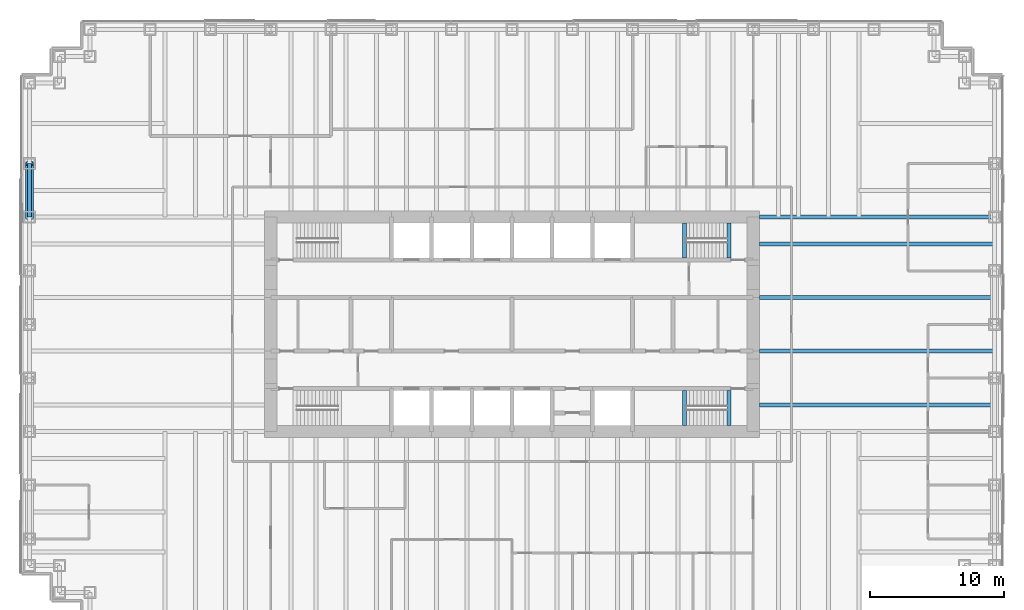
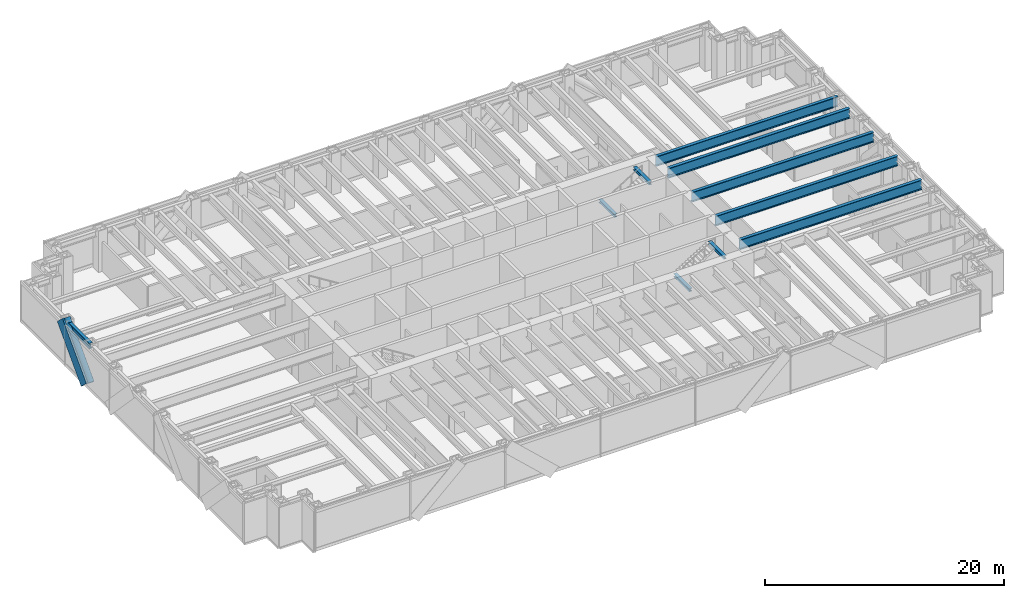
# One storey, part 5 of 15: 10 beams, 2 members, 1 element without a shape of its own.
"""IFC4 building model written with IfcOpenShell, lengths in metres."""

from ifc_helpers import new_model, si_unit, direction, frame, origin, origin_2d, place, context, subcontext, project, spatial, rectangle, hollow_circle, i_section, extrude, material, material_profile, profile_set, type_object, element, aggregate, save


model = new_model("IFC4")

# Units and contexts
model_context = context("Model", 3, precision=1e-05, world=origin(), true_north=direction((0.0, 1.0)))
body_context = subcontext(model_context, "Body", "Model", "MODEL_VIEW")
ifc_project = project(units=[si_unit("LENGTHUNIT", "METRE"), si_unit("AREAUNIT", "SQUARE_METRE"), si_unit("VOLUMEUNIT", "CUBIC_METRE"), si_unit("PLANEANGLEUNIT", "RADIAN"), si_unit("MASSUNIT", "GRAM", prefix="KILO")], contexts=[model_context])

# Site, building, storey
site_placement = place(None, origin())
site = spatial("IfcSite", under=ifc_project, at=site_placement, CompositionType="ELEMENT")
building_placement = place(site_placement, origin())
building = spatial("IfcBuilding", under=site, at=building_placement, Name="Rheinbord Bourse Tower", CompositionType="ELEMENT")
storey_placement = place(building_placement, frame((0.0, 0.0, 134.10009765625)))
storey = spatial("IfcBuildingStorey", under=building, at=storey_placement, Name="L29", CompositionType="ELEMENT", Elevation=134.10009765625)

# Curtain wall, member
ifc_material_1 = material(Name="Dark glass and black aluminium", Category="aluminium")
curtain_wall_type = type_object("IfcCurtainWallType", Name="CW2 DARK GLASS CURTAIN WALL", PredefinedType="USERDEFINED", material=ifc_material_1)
curtain_wall_placement = place(storey_placement, origin())
curtain_wall = element("IfcCurtainWall", 1, at=curtain_wall_placement, inside=storey, type_object=curtain_wall_type, Name="Curtain wall CW2 W L29", ObjectType="UNITISED CURTAIN WALL", PredefinedType="USERDEFINED")
ifc_material_2 = material(Name="Black anodised aluminium", Category="aluminium")
ifc_material_profile_1 = material_profile(ifc_material_2, rectangle(XDim=0.159912109375, YDim=1.2099609375, at=origin_2d()), Name="CW2 DIAGONAL MULLION 1210x160")
ifc_profile_set_1 = profile_set([ifc_material_profile_1], Name="Black anodised aluminium")
member_type_1 = type_object("IfcMemberType", Name="CW2 BLACK DIAGONAL MULLION", PredefinedType="USERDEFINED", material=ifc_profile_set_1)
member_1_placement = place(storey_placement, frame((-0.60009765625, 32.0, 0.0), z_axis=(0.0, 0.689659376744, 0.724133926887), x_axis=(-1.0, 0.0, 0.0)))
member_1 = element("IfcMember", 2, at=member_1_placement, type_object=member_type_1, Name="CW2 diagonal mullion d", ObjectType="DIAGONAL MULLION", PredefinedType="USERDEFINED", context=body_context, shape_type="SweptSolid", body=[
    extrude(rectangle(XDim=0.159912109375, YDim=1.2099609375, at=origin_2d()), origin(), (0.0, 0.0, 1.0), 5.800048828125),
])
aggregate(curtain_wall, [member_1])

# Beams
ifc_material_3 = material(Name="Steel S460", Category="steel")
ifc_material_profile_2 = material_profile(ifc_material_3, i_section(OverallWidth=0.302001953125, OverallDepth=1.008056640625, WebThickness=0.02099609375, FlangeThickness=0.0400390625, at=origin_2d()), Name="HEM 1000")
ifc_profile_set_2 = profile_set([ifc_material_profile_2], Name="Steel S460")
beam_type_1 = type_object("IfcBeamType", Name="END BEAM HEM 1000", PredefinedType="BEAM", material=ifc_profile_set_2)
for number, where, z_axis, x_axis, name in (
    (3, (54.449951171875, 18.0, 3.535888671875), (1.0, 0.0, 0.0), (0.0, 1.0, 0.0), "End beam east 18 L30"),
    (4, (54.449951171875, 22.0, 3.535888671875), (1.0, 0.0, 0.0), (0.0, 1.0, 0.0), "End beam east 22 L30"),
    (5, (54.449951171875, 26.0, 3.535888671875), (1.0, 0.0, 0.0), (0.0, 1.0, 0.0), "End beam east 26 L30"),
    (6, (54.449951171875, 30.0, 3.535888671875), (1.0, 0.0, 0.0), (0.0, 1.0, 0.0), "End beam east 30 L30"),
):
    element("IfcBeam", number, at=place(storey_placement, frame(where, z_axis=z_axis, x_axis=x_axis)), inside=storey, type_object=beam_type_1, Name=name, PredefinedType="BEAM", context=body_context, shape_type="SweptSolid", body=[
        extrude(i_section(OverallWidth=0.302001953125, OverallDepth=1.008056640625, WebThickness=0.02099609375, FlangeThickness=0.0400390625, at=origin_2d()), origin(), (0.0, 0.0, 1.0), 17.550048828125),
    ])
ifc_material_4 = material(Name="Steel S460", Category="steel")
ifc_material_profile_3 = material_profile(ifc_material_4, i_section(OverallWidth=0.302001953125, OverallDepth=1.008056640625, WebThickness=0.02099609375, FlangeThickness=0.0400390625, at=origin_2d()), Name="HEM 1000")
ifc_profile_set_3 = profile_set([ifc_material_profile_3], Name="Steel S460")
beam_type_2 = type_object("IfcBeamType", Name="GIRDER HEM 1000", PredefinedType="BEAM", material=ifc_profile_set_3)
beam_1_placement = place(storey_placement, frame((54.449951171875, 32.0, 3.535888671875), z_axis=(1.0, 0.0, 0.0), x_axis=(0.0, 1.0, 0.0)))
element("IfcBeam", 7, at=beam_1_placement, inside=storey, type_object=beam_type_2, Name="Girder east 32 L30", PredefinedType="BEAM", context=body_context, shape_type="SweptSolid", body=[
    extrude(i_section(OverallWidth=0.302001953125, OverallDepth=1.008056640625, WebThickness=0.02099609375, FlangeThickness=0.0400390625, at=origin_2d()), origin(), (0.0, 0.0, 1.0), 17.550048828125),
])
ifc_material_5 = material(Name="Steel S460", Category="steel")
ifc_material_profile_4 = material_profile(ifc_material_5, i_section(OverallWidth=0.300048828125, OverallDepth=0.300048828125, WebThickness=0.010986328125, FlangeThickness=0.01904296875, at=origin_2d()), Name="HEB 300")
ifc_profile_set_4 = profile_set([ifc_material_profile_4], Name="Steel S460")
beam_type_3 = type_object("IfcBeamType", Name="LANDING TRIMMER HEB 300", PredefinedType="BEAM", material=ifc_profile_set_4)
for number, where, z_axis, x_axis, name in (
    (8, (48.8701171875, 16.449951171875, 1.75), (0.0, 1.0, 0.0), (-1.0, 0.0, 0.0), "Landing trimmer ST3 L29"),
    (9, (52.199951171875, 16.449951171875, 3.889892578125), (0.0, 1.0, 0.0), (-1.0, 0.0, 0.0), "Well trimmer ST3 under L30"),
    (10, (48.8701171875, 28.949951171875, 1.75), (0.0, 1.0, 0.0), (-1.0, 0.0, 0.0), "Landing trimmer ST4 L29"),
    (11, (52.199951171875, 28.949951171875, 3.889892578125), (0.0, 1.0, 0.0), (-1.0, 0.0, 0.0), "Well trimmer ST4 under L30"),
):
    element("IfcBeam", number, at=place(storey_placement, frame(where, z_axis=z_axis, x_axis=x_axis)), inside=storey, type_object=beam_type_3, Name=name, PredefinedType="BEAM", context=body_context, shape_type="SweptSolid", body=[
        extrude(i_section(OverallWidth=0.300048828125, OverallDepth=0.300048828125, WebThickness=0.010986328125, FlangeThickness=0.01904296875, at=origin_2d()), origin(), (0.0, 0.0, 1.0), 2.60009765625),
    ])

# Member
ifc_material_6 = material(Name="Steel S460", Category="steel")
ifc_material_profile_5 = material_profile(ifc_material_6, hollow_circle(Radius=0.304931640625, WallThickness=0.0400390625, at=origin_2d()), Name="CHS 610x40")
ifc_profile_set_5 = profile_set([ifc_material_profile_5], Name="Steel S460")
member_type_2 = type_object("IfcMemberType", Name="MEGABRACE CHS 610x40", PredefinedType="BRACE", material=ifc_profile_set_5)
member_2_placement = place(storey_placement, frame((0.0, 32.0, 0.0), z_axis=(0.0, 0.689659376744, 0.724133926887), x_axis=(-1.0, 0.0, 0.0)))
element("IfcMember", 12, at=member_2_placement, inside=storey, type_object=member_type_2, Name="Megabrace W face line d L29", PredefinedType="BRACE", context=body_context, shape_type="SweptSolid", body=[
    extrude(hollow_circle(Radius=0.304931640625, WallThickness=0.0400390625, at=origin_2d()), origin(), (0.0, 0.0, 1.0), 5.800048828125),
])

# Beam
ifc_material_7 = material(Name="Steel S460", Category="steel")
ifc_material_profile_6 = material_profile(ifc_material_7, i_section(OverallWidth=0.305908203125, OverallDepth=0.572021484375, WebThickness=0.02099609375, FlangeThickness=0.0400390625, at=origin_2d()), Name="HEM 550")
ifc_profile_set_6 = profile_set([ifc_material_profile_6], Name="Steel S460")
beam_type_4 = type_object("IfcBeamType", Name="SPANDREL HEM 550", PredefinedType="SPANDREL", material=ifc_profile_set_6)
beam_2_placement = place(storey_placement, frame((0.0, 36.0, 3.75390625), z_axis=(0.0, -1.0, 0.0), x_axis=(1.0, 0.0, 0.0)))
element("IfcBeam", 13, at=beam_2_placement, inside=storey, type_object=beam_type_4, Name="Spandrel W-36-W-32 under L30", PredefinedType="SPANDREL", context=body_context, shape_type="SweptSolid", body=[
    extrude(i_section(OverallWidth=0.305908203125, OverallDepth=0.572021484375, WebThickness=0.02099609375, FlangeThickness=0.0400390625, at=origin_2d()), origin(), (0.0, 0.0, 1.0), 4.0),
])

save(model, "model.ifc")
